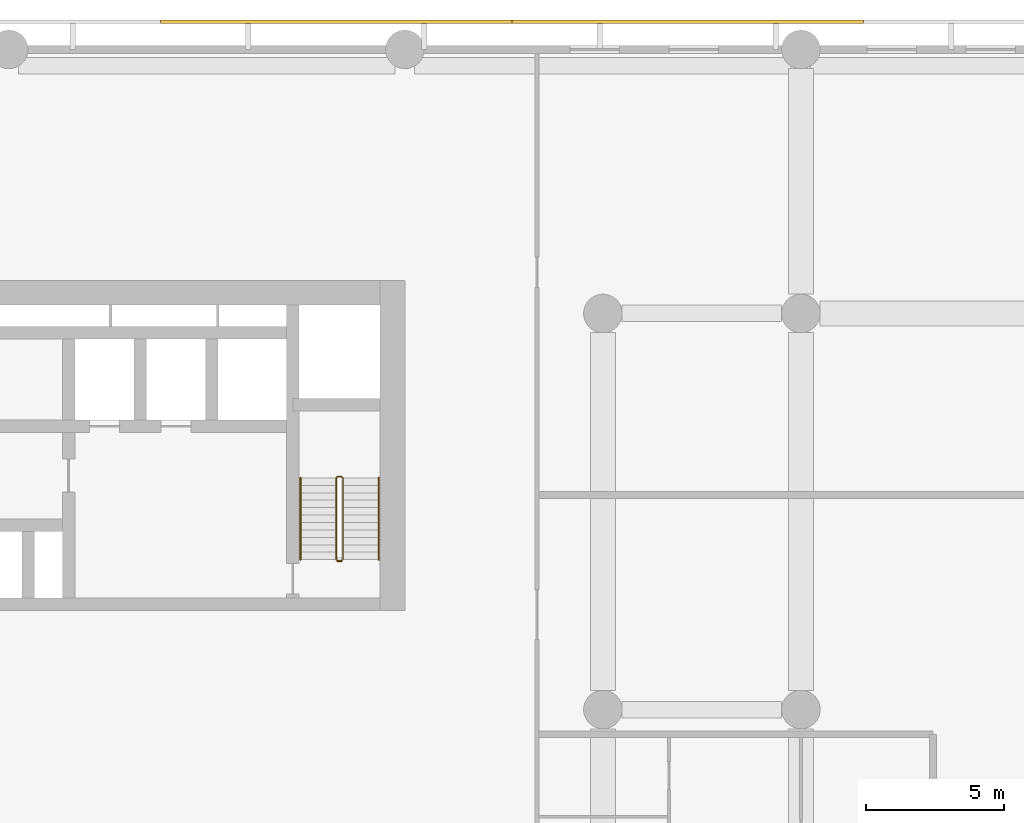
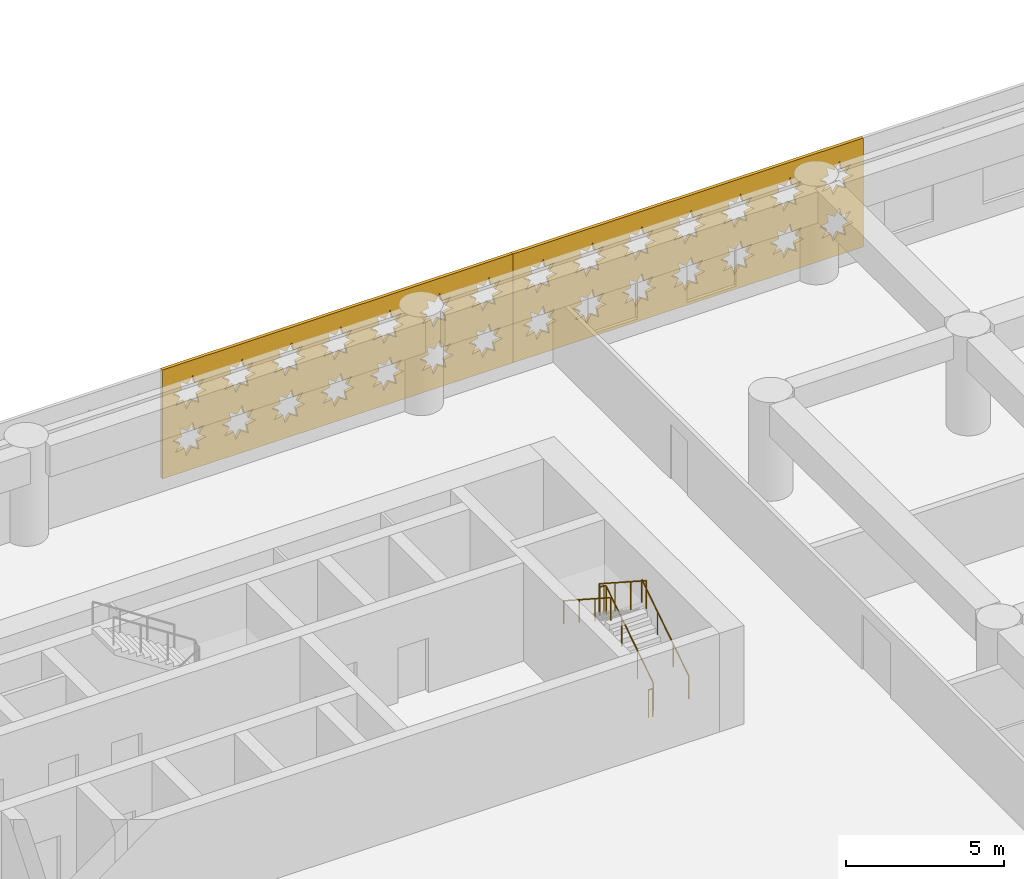
# One storey, part 23 of 24: 4 railings, 2 coverings.
"""IFC4 building model written with IfcOpenShell, lengths in metres."""

from ifc_helpers import new_model, si_unit, direction, frame, origin, origin_2d, place, context, subcontext, project, spatial, polyline, circle, outline, extrude, material, layer, layer_set, type_object, element, save


model = new_model("IFC4")

# Units and contexts
model_context = context("Model", 3, precision=1e-05, world=origin(), true_north=direction((0.0, 1.0)))
body_context = subcontext(model_context, "Body", "Model", "MODEL_VIEW")
ifc_project = project(units=[si_unit("LENGTHUNIT", "METRE"), si_unit("AREAUNIT", "SQUARE_METRE"), si_unit("VOLUMEUNIT", "CUBIC_METRE"), si_unit("PLANEANGLEUNIT", "RADIAN"), si_unit("MASSUNIT", "GRAM", prefix="KILO")], contexts=[model_context])

# Site, building, storey
site_placement = place(None, origin())
site = spatial("IfcSite", under=ifc_project, at=site_placement, CompositionType="ELEMENT")
building_placement = place(site_placement, origin())
building = spatial("IfcBuilding", under=site, at=building_placement, Name="Saffron Iwan Residences", CompositionType="ELEMENT")
storey_placement = place(building_placement, frame((0.0, 0.0, 13.199951171875)))
storey = spatial("IfcBuildingStorey", under=building, at=storey_placement, Name="L02", CompositionType="ELEMENT", Elevation=13.199951171875)

# Coverings
ifc_material_1 = material(Name="Terracotta screen, precast concrete C40/50", Category="masonry")
ifc_layer = layer(ifc_material_1, 0.1201171875)
ifc_layer_set = layer_set([ifc_layer], Name="Terracotta screen, precast concrete C40/50")
covering_type = type_object("IfcCoveringType", Name="PODIUM SCREEN GIRIH", PredefinedType="CLADDING", material=ifc_layer_set)
covering_1_placement = place(storey_placement, frame((88.672607421875, 87.35009765625, -0.39990234375), z_axis=(0.0, 1.0, 0.0), x_axis=(-1.0, 0.0, 0.0)))
element("IfcCovering", 1, at=covering_1_placement, inside=storey, type_object=covering_type, Name="SCREEN girih terracotta L02 F2.1", PredefinedType="CLADDING", context=body_context, shape_type="SweptSolid", body=[
    extrude(outline(polyline([(0.0, 0.0), (12.777587890625, 0.0), (12.777587890625, 4.199951171875), (0.0, 4.199951171875), (0.0, 0.0)]), holes=[polyline([(1.5966796875, 1.321044921875), (1.271484375, 1.388916015625), (1.333251953125, 1.715576171875), (1.05517578125, 1.533447265625), (0.867919921875, 1.80810546875), (0.7998046875, 1.482666015625), (0.47314453125, 1.54443359375), (0.6552734375, 1.266357421875), (0.380615234375, 1.0791015625), (0.7060546875, 1.010986328125), (0.644287109375, 0.6845703125), (0.92236328125, 0.866455078125), (1.109619140625, 0.591796875), (1.177490234375, 0.917236328125), (1.50439453125, 0.85546875), (1.322265625, 1.1337890625), (1.5966796875, 1.321044921875)]), polyline([(1.5966796875, 3.12109375), (1.271484375, 3.18896484375), (1.333251953125, 3.515380859375), (1.05517578125, 3.33349609375), (0.867919921875, 3.608154296875), (0.7998046875, 3.28271484375), (0.47314453125, 3.344482421875), (0.6552734375, 3.06640625), (0.380615234375, 2.87890625), (0.7060546875, 2.81103515625), (0.644287109375, 2.484619140625), (0.92236328125, 2.66650390625), (1.109619140625, 2.391845703125), (1.177490234375, 2.71728515625), (1.50439453125, 2.655517578125), (1.322265625, 2.93359375), (1.5966796875, 3.12109375)]), polyline([(3.396728515625, 1.321044921875), (3.0712890625, 1.388916015625), (3.13330078125, 1.715576171875), (2.85498046875, 1.533447265625), (2.667724609375, 1.80810546875), (2.599853515625, 1.482666015625), (2.273193359375, 1.54443359375), (2.455322265625, 1.266357421875), (2.1806640625, 1.0791015625), (2.506103515625, 1.010986328125), (2.4443359375, 0.6845703125), (2.722412109375, 0.866455078125), (2.90966796875, 0.591796875), (2.9775390625, 0.917236328125), (3.30419921875, 0.85546875), (3.122314453125, 1.1337890625), (3.396728515625, 1.321044921875)]), polyline([(3.396728515625, 3.12109375), (3.0712890625, 3.18896484375), (3.13330078125, 3.515380859375), (2.85498046875, 3.33349609375), (2.667724609375, 3.608154296875), (2.599853515625, 3.28271484375), (2.273193359375, 3.344482421875), (2.455322265625, 3.06640625), (2.1806640625, 2.87890625), (2.506103515625, 2.81103515625), (2.4443359375, 2.484619140625), (2.722412109375, 2.66650390625), (2.90966796875, 2.391845703125), (2.9775390625, 2.71728515625), (3.30419921875, 2.655517578125), (3.122314453125, 2.93359375), (3.396728515625, 3.12109375)]), polyline([(5.19677734375, 1.321044921875), (4.871337890625, 1.388916015625), (4.93310546875, 1.715576171875), (4.655029296875, 1.533447265625), (4.4677734375, 1.80810546875), (4.39990234375, 1.482666015625), (4.0732421875, 1.54443359375), (4.25537109375, 1.266357421875), (3.980712890625, 1.0791015625), (4.30615234375, 1.010986328125), (4.244384765625, 0.6845703125), (4.5224609375, 0.866455078125), (4.709716796875, 0.591796875), (4.777587890625, 0.917236328125), (5.104248046875, 0.85546875), (4.922119140625, 1.1337890625), (5.19677734375, 1.321044921875)]), polyline([(5.19677734375, 3.12109375), (4.871337890625, 3.18896484375), (4.93310546875, 3.515380859375), (4.655029296875, 3.33349609375), (4.4677734375, 3.608154296875), (4.39990234375, 3.28271484375), (4.0732421875, 3.344482421875), (4.25537109375, 3.06640625), (3.980712890625, 2.87890625), (4.30615234375, 2.81103515625), (4.244384765625, 2.484619140625), (4.5224609375, 2.66650390625), (4.709716796875, 2.391845703125), (4.777587890625, 2.71728515625), (5.104248046875, 2.655517578125), (4.922119140625, 2.93359375), (5.19677734375, 3.12109375)]), polyline([(6.996826171875, 1.321044921875), (6.67138671875, 1.388916015625), (6.733154296875, 1.715576171875), (6.455078125, 1.533447265625), (6.267822265625, 1.80810546875), (6.199951171875, 1.482666015625), (5.873291015625, 1.54443359375), (6.055419921875, 1.266357421875), (5.78076171875, 1.0791015625), (6.106201171875, 1.010986328125), (6.044189453125, 0.6845703125), (6.322509765625, 0.866455078125), (6.509765625, 0.591796875), (6.57763671875, 0.917236328125), (6.904296875, 0.85546875), (6.72216796875, 1.1337890625), (6.996826171875, 1.321044921875)]), polyline([(6.996826171875, 3.12109375), (6.67138671875, 3.18896484375), (6.733154296875, 3.515380859375), (6.455078125, 3.33349609375), (6.267822265625, 3.608154296875), (6.199951171875, 3.28271484375), (5.873291015625, 3.344482421875), (6.055419921875, 3.06640625), (5.78076171875, 2.87890625), (6.106201171875, 2.81103515625), (6.044189453125, 2.484619140625), (6.322509765625, 2.66650390625), (6.509765625, 2.391845703125), (6.57763671875, 2.71728515625), (6.904296875, 2.655517578125), (6.72216796875, 2.93359375), (6.996826171875, 3.12109375)]), polyline([(8.796875, 1.321044921875), (8.471435546875, 1.388916015625), (8.533203125, 1.715576171875), (8.255126953125, 1.533447265625), (8.06787109375, 1.80810546875), (8.0, 1.482666015625), (7.673095703125, 1.54443359375), (7.855224609375, 1.266357421875), (7.580810546875, 1.0791015625), (7.906005859375, 1.010986328125), (7.84423828125, 0.6845703125), (8.122314453125, 0.866455078125), (8.309814453125, 0.591796875), (8.377685546875, 0.917236328125), (8.704345703125, 0.85546875), (8.522216796875, 1.1337890625), (8.796875, 1.321044921875)]), polyline([(8.796875, 3.12109375), (8.471435546875, 3.18896484375), (8.533203125, 3.515380859375), (8.255126953125, 3.33349609375), (8.06787109375, 3.608154296875), (8.0, 3.28271484375), (7.673095703125, 3.344482421875), (7.855224609375, 3.06640625), (7.580810546875, 2.87890625), (7.906005859375, 2.81103515625), (7.84423828125, 2.484619140625), (8.122314453125, 2.66650390625), (8.309814453125, 2.391845703125), (8.377685546875, 2.71728515625), (8.704345703125, 2.655517578125), (8.522216796875, 2.93359375), (8.796875, 3.12109375)]), polyline([(10.5966796875, 1.321044921875), (10.271484375, 1.388916015625), (10.333251953125, 1.715576171875), (10.05517578125, 1.533447265625), (9.867919921875, 1.80810546875), (9.7998046875, 1.482666015625), (9.47314453125, 1.54443359375), (9.6552734375, 1.266357421875), (9.380615234375, 1.0791015625), (9.7060546875, 1.010986328125), (9.644287109375, 0.6845703125), (9.92236328125, 0.866455078125), (10.109619140625, 0.591796875), (10.177490234375, 0.917236328125), (10.50439453125, 0.85546875), (10.322265625, 1.1337890625), (10.5966796875, 1.321044921875)]), polyline([(10.5966796875, 3.12109375), (10.271484375, 3.18896484375), (10.333251953125, 3.515380859375), (10.05517578125, 3.33349609375), (9.867919921875, 3.608154296875), (9.7998046875, 3.28271484375), (9.47314453125, 3.344482421875), (9.6552734375, 3.06640625), (9.380615234375, 2.87890625), (9.7060546875, 2.81103515625), (9.644287109375, 2.484619140625), (9.92236328125, 2.66650390625), (10.109619140625, 2.391845703125), (10.177490234375, 2.71728515625), (10.50439453125, 2.655517578125), (10.322265625, 2.93359375), (10.5966796875, 3.12109375)]), polyline([(12.396728515625, 1.321044921875), (12.0712890625, 1.388916015625), (12.13330078125, 1.715576171875), (11.85498046875, 1.533447265625), (11.667724609375, 1.80810546875), (11.599853515625, 1.482666015625), (11.273193359375, 1.54443359375), (11.455322265625, 1.266357421875), (11.1806640625, 1.0791015625), (11.506103515625, 1.010986328125), (11.4443359375, 0.6845703125), (11.722412109375, 0.866455078125), (11.90966796875, 0.591796875), (11.9775390625, 0.917236328125), (12.30419921875, 0.85546875), (12.122314453125, 1.1337890625), (12.396728515625, 1.321044921875)]), polyline([(12.396728515625, 3.12109375), (12.0712890625, 3.18896484375), (12.13330078125, 3.515380859375), (11.85498046875, 3.33349609375), (11.667724609375, 3.608154296875), (11.599853515625, 3.28271484375), (11.273193359375, 3.344482421875), (11.455322265625, 3.06640625), (11.1806640625, 2.87890625), (11.506103515625, 2.81103515625), (11.4443359375, 2.484619140625), (11.722412109375, 2.66650390625), (11.90966796875, 2.391845703125), (11.9775390625, 2.71728515625), (12.30419921875, 2.655517578125), (12.122314453125, 2.93359375), (12.396728515625, 3.12109375)])]), origin(), (0.0, 0.0, 1.0), 0.119873046875),
])
covering_2_placement = place(storey_placement, frame((75.89501953125, 87.35009765625, -0.39990234375), z_axis=(0.0, 1.0, 0.0), x_axis=(-1.0, 0.0, 0.0)))
element("IfcCovering", 2, at=covering_2_placement, inside=storey, type_object=covering_type, Name="SCREEN girih terracotta L02 F2.2", PredefinedType="CLADDING", context=body_context, shape_type="SweptSolid", body=[
    extrude(outline(polyline([(0.0, 0.0), (12.777587890625, 0.0), (12.777587890625, 4.199951171875), (0.0, 4.199951171875), (0.0, 0.0)]), holes=[polyline([(1.5966796875, 1.321044921875), (1.271484375, 1.388916015625), (1.333251953125, 1.715576171875), (1.05517578125, 1.533447265625), (0.867919921875, 1.80810546875), (0.7998046875, 1.482666015625), (0.47314453125, 1.54443359375), (0.6552734375, 1.266357421875), (0.380615234375, 1.0791015625), (0.7060546875, 1.010986328125), (0.644287109375, 0.6845703125), (0.92236328125, 0.866455078125), (1.109619140625, 0.591796875), (1.177490234375, 0.917236328125), (1.50439453125, 0.85546875), (1.322265625, 1.1337890625), (1.5966796875, 1.321044921875)]), polyline([(1.5966796875, 3.12109375), (1.271484375, 3.18896484375), (1.333251953125, 3.515380859375), (1.05517578125, 3.33349609375), (0.867919921875, 3.608154296875), (0.7998046875, 3.28271484375), (0.47314453125, 3.344482421875), (0.6552734375, 3.06640625), (0.380615234375, 2.87890625), (0.7060546875, 2.81103515625), (0.644287109375, 2.484619140625), (0.92236328125, 2.66650390625), (1.109619140625, 2.391845703125), (1.177490234375, 2.71728515625), (1.50439453125, 2.655517578125), (1.322265625, 2.93359375), (1.5966796875, 3.12109375)]), polyline([(3.396728515625, 1.321044921875), (3.0712890625, 1.388916015625), (3.13330078125, 1.715576171875), (2.85498046875, 1.533447265625), (2.667724609375, 1.80810546875), (2.599853515625, 1.482666015625), (2.273193359375, 1.54443359375), (2.455322265625, 1.266357421875), (2.1806640625, 1.0791015625), (2.506103515625, 1.010986328125), (2.4443359375, 0.6845703125), (2.722412109375, 0.866455078125), (2.90966796875, 0.591796875), (2.9775390625, 0.917236328125), (3.30419921875, 0.85546875), (3.122314453125, 1.1337890625), (3.396728515625, 1.321044921875)]), polyline([(3.396728515625, 3.12109375), (3.0712890625, 3.18896484375), (3.13330078125, 3.515380859375), (2.85498046875, 3.33349609375), (2.667724609375, 3.608154296875), (2.599853515625, 3.28271484375), (2.273193359375, 3.344482421875), (2.455322265625, 3.06640625), (2.1806640625, 2.87890625), (2.506103515625, 2.81103515625), (2.4443359375, 2.484619140625), (2.722412109375, 2.66650390625), (2.90966796875, 2.391845703125), (2.9775390625, 2.71728515625), (3.30419921875, 2.655517578125), (3.122314453125, 2.93359375), (3.396728515625, 3.12109375)]), polyline([(5.19677734375, 1.321044921875), (4.871337890625, 1.388916015625), (4.93310546875, 1.715576171875), (4.655029296875, 1.533447265625), (4.4677734375, 1.80810546875), (4.39990234375, 1.482666015625), (4.0732421875, 1.54443359375), (4.25537109375, 1.266357421875), (3.980712890625, 1.0791015625), (4.30615234375, 1.010986328125), (4.244384765625, 0.6845703125), (4.5224609375, 0.866455078125), (4.709716796875, 0.591796875), (4.777587890625, 0.917236328125), (5.104248046875, 0.85546875), (4.922119140625, 1.1337890625), (5.19677734375, 1.321044921875)]), polyline([(5.19677734375, 3.12109375), (4.871337890625, 3.18896484375), (4.93310546875, 3.515380859375), (4.655029296875, 3.33349609375), (4.4677734375, 3.608154296875), (4.39990234375, 3.28271484375), (4.0732421875, 3.344482421875), (4.25537109375, 3.06640625), (3.980712890625, 2.87890625), (4.30615234375, 2.81103515625), (4.244384765625, 2.484619140625), (4.5224609375, 2.66650390625), (4.709716796875, 2.391845703125), (4.777587890625, 2.71728515625), (5.104248046875, 2.655517578125), (4.922119140625, 2.93359375), (5.19677734375, 3.12109375)]), polyline([(6.996826171875, 1.321044921875), (6.67138671875, 1.388916015625), (6.733154296875, 1.715576171875), (6.455078125, 1.533447265625), (6.267822265625, 1.80810546875), (6.199951171875, 1.482666015625), (5.873291015625, 1.54443359375), (6.055419921875, 1.266357421875), (5.78076171875, 1.0791015625), (6.106201171875, 1.010986328125), (6.044189453125, 0.6845703125), (6.322509765625, 0.866455078125), (6.509765625, 0.591796875), (6.57763671875, 0.917236328125), (6.904296875, 0.85546875), (6.72216796875, 1.1337890625), (6.996826171875, 1.321044921875)]), polyline([(6.996826171875, 3.12109375), (6.67138671875, 3.18896484375), (6.733154296875, 3.515380859375), (6.455078125, 3.33349609375), (6.267822265625, 3.608154296875), (6.199951171875, 3.28271484375), (5.873291015625, 3.344482421875), (6.055419921875, 3.06640625), (5.78076171875, 2.87890625), (6.106201171875, 2.81103515625), (6.044189453125, 2.484619140625), (6.322509765625, 2.66650390625), (6.509765625, 2.391845703125), (6.57763671875, 2.71728515625), (6.904296875, 2.655517578125), (6.72216796875, 2.93359375), (6.996826171875, 3.12109375)]), polyline([(8.796875, 1.321044921875), (8.471435546875, 1.388916015625), (8.533203125, 1.715576171875), (8.255126953125, 1.533447265625), (8.06787109375, 1.80810546875), (8.0, 1.482666015625), (7.673095703125, 1.54443359375), (7.855224609375, 1.266357421875), (7.580810546875, 1.0791015625), (7.906005859375, 1.010986328125), (7.84423828125, 0.6845703125), (8.122314453125, 0.866455078125), (8.309814453125, 0.591796875), (8.377685546875, 0.917236328125), (8.704345703125, 0.85546875), (8.522216796875, 1.1337890625), (8.796875, 1.321044921875)]), polyline([(8.796875, 3.12109375), (8.471435546875, 3.18896484375), (8.533203125, 3.515380859375), (8.255126953125, 3.33349609375), (8.06787109375, 3.608154296875), (8.0, 3.28271484375), (7.673095703125, 3.344482421875), (7.855224609375, 3.06640625), (7.580810546875, 2.87890625), (7.906005859375, 2.81103515625), (7.84423828125, 2.484619140625), (8.122314453125, 2.66650390625), (8.309814453125, 2.391845703125), (8.377685546875, 2.71728515625), (8.704345703125, 2.655517578125), (8.522216796875, 2.93359375), (8.796875, 3.12109375)]), polyline([(10.5966796875, 1.321044921875), (10.271484375, 1.388916015625), (10.333251953125, 1.715576171875), (10.05517578125, 1.533447265625), (9.867919921875, 1.80810546875), (9.7998046875, 1.482666015625), (9.47314453125, 1.54443359375), (9.6552734375, 1.266357421875), (9.380615234375, 1.0791015625), (9.7060546875, 1.010986328125), (9.644287109375, 0.6845703125), (9.92236328125, 0.866455078125), (10.109619140625, 0.591796875), (10.177490234375, 0.917236328125), (10.50439453125, 0.85546875), (10.322265625, 1.1337890625), (10.5966796875, 1.321044921875)]), polyline([(10.5966796875, 3.12109375), (10.271484375, 3.18896484375), (10.333251953125, 3.515380859375), (10.05517578125, 3.33349609375), (9.867919921875, 3.608154296875), (9.7998046875, 3.28271484375), (9.47314453125, 3.344482421875), (9.6552734375, 3.06640625), (9.380615234375, 2.87890625), (9.7060546875, 2.81103515625), (9.644287109375, 2.484619140625), (9.92236328125, 2.66650390625), (10.109619140625, 2.391845703125), (10.177490234375, 2.71728515625), (10.50439453125, 2.655517578125), (10.322265625, 2.93359375), (10.5966796875, 3.12109375)]), polyline([(12.396728515625, 1.321044921875), (12.0712890625, 1.388916015625), (12.13330078125, 1.715576171875), (11.85498046875, 1.533447265625), (11.667724609375, 1.80810546875), (11.599853515625, 1.482666015625), (11.273193359375, 1.54443359375), (11.455322265625, 1.266357421875), (11.1806640625, 1.0791015625), (11.506103515625, 1.010986328125), (11.4443359375, 0.6845703125), (11.722412109375, 0.866455078125), (11.90966796875, 0.591796875), (11.9775390625, 0.917236328125), (12.30419921875, 0.85546875), (12.122314453125, 1.1337890625), (12.396728515625, 1.321044921875)]), polyline([(12.396728515625, 3.12109375), (12.0712890625, 3.18896484375), (12.13330078125, 3.515380859375), (11.85498046875, 3.33349609375), (11.667724609375, 3.608154296875), (11.599853515625, 3.28271484375), (11.273193359375, 3.344482421875), (11.455322265625, 3.06640625), (11.1806640625, 2.87890625), (11.506103515625, 2.81103515625), (11.4443359375, 2.484619140625), (11.722412109375, 2.66650390625), (11.90966796875, 2.391845703125), (11.9775390625, 2.71728515625), (12.30419921875, 2.655517578125), (12.122314453125, 2.93359375), (12.396728515625, 3.12109375)])]), origin(), (0.0, 0.0, 1.0), 0.119873046875),
])

# Railings
ifc_material_2 = material(Name="Steel S355", Category="steel")
railing_type_1 = type_object("IfcRailingType", Name="Stair guard 1100", PredefinedType="GUARDRAIL", material=ifc_material_2)
railing_1_placement = place(storey_placement, frame((69.75, 67.85009765625, 0.175048828125)))
element("IfcRailing", 3, at=railing_1_placement, inside=storey, type_object=railing_type_1, Name="L02 ST-E stair guard 1", PredefinedType="GUARDRAIL", context=body_context, shape_type="SweptSolid", body=[
    extrude(circle(Radius=0.02392578125, at=origin_2d()), frame((0.0, 0.0, 1.076171875), z_axis=(0.0, 0.83914424107, 0.543908947048), x_axis=(-1.0, 0.0, 0.0)), (0.0, 0.0, 1.0), 3.539306640625),
    extrude(circle(Radius=0.02392578125, at=origin_2d()), frame((0.0, 2.969970703125, 3.0009765625), z_axis=(-0.707106781187, 0.707106781187, 0.0), x_axis=(-0.707106781187, -0.707106781187, 0.0)), (0.0, 0.0, 1.0), 0.07080078125),
    extrude(circle(Radius=0.02392578125, at=origin_2d()), frame((-0.050048828125, 3.02001953125, 3.0009765625), z_axis=(-1.0, 0.0, 0.0), x_axis=(0.0, -1.0, 0.0)), (0.0, 0.0, 1.0), 0.14990234375),
    extrude(circle(Radius=0.02392578125, at=origin_2d()), frame((-0.199951171875, 3.02001953125, 3.0009765625), z_axis=(-0.265065253269, -0.265065253269, 0.927081885822), x_axis=(0.707106781187, -0.707106781187, 0.0)), (0.0, 0.0, 1.0), 0.188720703125),
    extrude(circle(Radius=0.02392578125, at=origin_2d()), frame((-0.25, 2.969970703125, 3.17626953125), z_axis=(0.0, -0.839175724659, 0.543860370999), x_axis=(1.0, 0.0, 0.0)), (0.0, 0.0, 1.0), 3.5390625),
    extrude(circle(Radius=0.02099609375, at=origin_2d()), origin(), (0.0, 0.0, 1.0), 1.052001953125),
    extrude(circle(Radius=0.02099609375, at=origin_2d()), frame((0.0, 0.989990234375, 0.6416015625)), (0.0, 0.0, 1.0), 1.052001953125),
    extrude(circle(Radius=0.02099609375, at=origin_2d()), frame((0.0, 1.97998046875, 1.283447265625)), (0.0, 0.0, 1.0), 1.052001953125),
    extrude(circle(Radius=0.02099609375, at=origin_2d()), frame((0.0, 2.969970703125, 1.925048828125)), (0.0, 0.0, 1.0), 1.052001953125),
    extrude(circle(Radius=0.02099609375, at=origin_2d()), frame((-0.050048828125, 3.02001953125, 1.925048828125)), (0.0, 0.0, 1.0), 1.052001953125),
    extrude(circle(Radius=0.02099609375, at=origin_2d()), frame((-0.199951171875, 3.02001953125, 1.925048828125)), (0.0, 0.0, 1.0), 1.052001953125),
    extrude(circle(Radius=0.02099609375, at=origin_2d()), frame((-0.25, 2.969970703125, 2.10009765625)), (0.0, 0.0, 1.0), 1.052001953125),
    extrude(circle(Radius=0.02099609375, at=origin_2d()), frame((-0.25, 1.97998046875, 2.74169921875)), (0.0, 0.0, 1.0), 1.052001953125),
    extrude(circle(Radius=0.02099609375, at=origin_2d()), frame((-0.25, 0.989990234375, 3.38330078125)), (0.0, 0.0, 1.0), 1.052001953125),
    extrude(circle(Radius=0.02099609375, at=origin_2d()), frame((-0.25, 0.0, 4.02490234375)), (0.0, 0.0, 1.0), 1.052001953125),
])
railing_2_placement = place(storey_placement, frame((69.699951171875, 67.800048828125, 0.0)))
element("IfcRailing", 4, at=railing_2_placement, inside=storey, type_object=railing_type_1, Name="L02 ST-E stair guard 2", PredefinedType="GUARDRAIL", context=body_context, shape_type="SweptSolid", body=[
    extrude(circle(Radius=0.02392578125, at=origin_2d()), frame((0.0, 0.0, 1.076171875), z_axis=(-1.0, 0.0, 0.0), x_axis=(0.0, -1.0, 0.0)), (0.0, 0.0, 1.0), 0.14990234375),
    extrude(circle(Radius=0.02099609375, at=origin_2d()), origin(), (0.0, 0.0, 1.0), 1.052001953125),
    extrude(circle(Radius=0.02099609375, at=origin_2d()), frame((-0.14990234375, 0.0, 0.0)), (0.0, 0.0, 1.0), 1.052001953125),
])
ifc_material_3 = material(Name="Stainless steel 316", Category="steel")
railing_type_2 = type_object("IfcRailingType", Name="Stair handrail 900", PredefinedType="HANDRAIL", material=ifc_material_3)
railing_3_placement = place(storey_placement, frame((71.050048828125, 67.85009765625, 0.175048828125)))
element("IfcRailing", 5, at=railing_3_placement, inside=storey, type_object=railing_type_2, Name="L02 ST-E stair handrail 1", PredefinedType="HANDRAIL", context=body_context, shape_type="SweptSolid", body=[
    extrude(circle(Radius=0.02392578125, at=origin_2d()), frame((0.0, 0.0, 0.8759765625), z_axis=(0.0, 0.83914424107, 0.543908947048), x_axis=(-1.0, 0.0, 0.0)), (0.0, 0.0, 1.0), 3.539306640625),
    extrude(circle(Radius=0.02099609375, at=origin_2d()), origin(), (0.0, 0.0, 1.0), 0.851806640625),
    extrude(circle(Radius=0.02099609375, at=origin_2d()), frame((0.0, 0.989990234375, 0.6416015625)), (0.0, 0.0, 1.0), 0.851806640625),
    extrude(circle(Radius=0.02099609375, at=origin_2d()), frame((0.0, 1.97998046875, 1.283447265625)), (0.0, 0.0, 1.0), 0.851806640625),
    extrude(circle(Radius=0.02099609375, at=origin_2d()), frame((0.0, 2.969970703125, 1.925048828125)), (0.0, 0.0, 1.0), 0.851806640625),
])
railing_4_placement = place(storey_placement, frame((68.199951171875, 70.820068359375, 2.275146484375)))
element("IfcRailing", 6, at=railing_4_placement, inside=storey, type_object=railing_type_2, Name="L02 ST-E stair handrail 2", PredefinedType="HANDRAIL", context=body_context, shape_type="SweptSolid", body=[
    extrude(circle(Radius=0.02392578125, at=origin_2d()), frame((0.0, 0.0, 0.8759765625), z_axis=(0.0, -0.839175724659, 0.543860370999), x_axis=(1.0, 0.0, 0.0)), (0.0, 0.0, 1.0), 3.5390625),
    extrude(circle(Radius=0.02099609375, at=origin_2d()), origin(), (0.0, 0.0, 1.0), 0.851806640625),
    extrude(circle(Radius=0.02099609375, at=origin_2d()), frame((0.0, -0.989990234375, 0.6416015625)), (0.0, 0.0, 1.0), 0.851806640625),
    extrude(circle(Radius=0.02099609375, at=origin_2d()), frame((0.0, -1.97998046875, 1.283203125)), (0.0, 0.0, 1.0), 0.851806640625),
    extrude(circle(Radius=0.02099609375, at=origin_2d()), frame((0.0, -2.969970703125, 1.9248046875)), (0.0, 0.0, 1.0), 0.851806640625),
])

save(model, "model.ifc")
